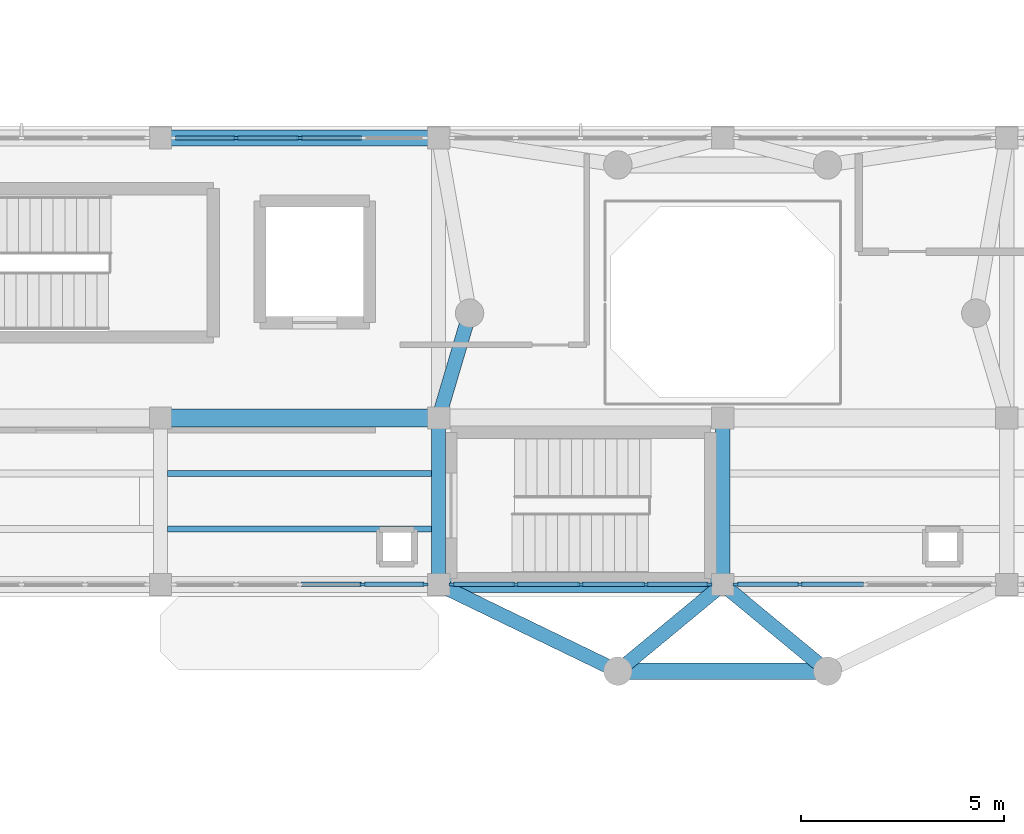
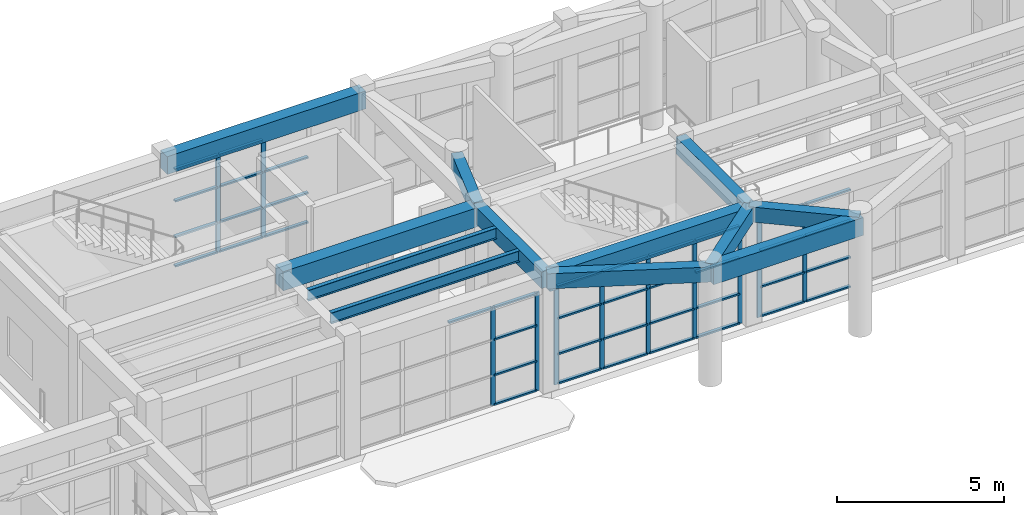
# One storey, part 17 of 85: 51 members, 12 beams, 4 elements without a shape of their own.
"""IFC4 building model written with IfcOpenShell, lengths in metres."""

from ifc_helpers import new_model, si_unit, direction, frame, origin, origin_2d, place, context, subcontext, project, spatial, rectangle, i_section, extrude, material, layer, layer_set, material_profile, profile_set, type_object, element, aggregate, save


model = new_model("IFC4")

# Units and contexts
model_context = context("Model", 3, precision=1e-05, world=origin(), true_north=direction((0.0, 1.0)))
body_context = subcontext(model_context, "Body", "Model", "MODEL_VIEW")
ifc_project = project(units=[si_unit("LENGTHUNIT", "METRE"), si_unit("AREAUNIT", "SQUARE_METRE"), si_unit("VOLUMEUNIT", "CUBIC_METRE"), si_unit("PLANEANGLEUNIT", "RADIAN"), si_unit("MASSUNIT", "GRAM", prefix="KILO")], contexts=[model_context])

# Site, building, storey
site_placement = place(None, origin())
site = spatial("IfcSite", under=ifc_project, at=site_placement, CompositionType="ELEMENT")
building_placement = place(site_placement, origin())
building = spatial("IfcBuilding", under=site, at=building_placement, Name="Candilejo Ridge Gondola Terminal", CompositionType="ELEMENT")
storey_placement = place(building_placement, frame((0.0, 0.0, 4.5)))
storey = spatial("IfcBuildingStorey", under=building, at=storey_placement, Name="L01", CompositionType="ELEMENT", Elevation=4.5)

# Curtain wall, members
ifc_material_1 = material(Name="Anodised aluminium AA 6063-T6", Category="aluminium")
ifc_layer_1 = layer(ifc_material_1, 0.169921875)
ifc_layer_set_1 = layer_set([ifc_layer_1], Name="ARC-CW-DRUM-3400-625X359")
curtain_wall_type_1 = type_object("IfcCurtainWallType", Name="ARC-CW-DRUM-3400-625X359", PredefinedType="NOTDEFINED", material=ifc_layer_set_1)
curtain_wall_1_placement = place(storey_placement, origin())
curtain_wall_1 = element("IfcCurtainWall", 1, at=curtain_wall_1_placement, inside=storey, type_object=curtain_wall_type_1, Name="Curtain wall V2 L01-036", PredefinedType="NOTDEFINED")
ifc_material_2 = material(Name="Anodised aluminium AA 6063-T6", Category="aluminium")
ifc_material_profile_1 = material_profile(ifc_material_2, rectangle(XDim=0.06494140625, YDim=0.14990234375, at=origin_2d()))
ifc_profile_set_1 = profile_set([ifc_material_profile_1], Name="Anodised aluminium AA 6063-T6")
member_type_1 = type_object("IfcMemberType", Name="ARC-CW-MULLION-150", PredefinedType="MULLION", material=ifc_profile_set_1)
member_1_placement = place(storey_placement, frame((53.362548828125, 36.699951171875, 0.0), z_axis=(0.0, 0.0, 1.0), x_axis=(0.0, 1.0, 0.0)))
member_1 = element("IfcMember", 2, at=member_1_placement, type_object=member_type_1, Name="CW-62X35 mullion 2", PredefinedType="MULLION", context=body_context, shape_type="SweptSolid", body=[
    extrude(rectangle(XDim=0.06494140625, YDim=0.14990234375, at=origin_2d()), origin(), (0.0, 0.0, 1.0), 3.590087890625),
])
member_2_placement = place(storey_placement, frame((54.925048828125, 36.699951171875, 0.0), z_axis=(0.0, 0.0, 1.0), x_axis=(0.0, 1.0, 0.0)))
member_2 = element("IfcMember", 3, at=member_2_placement, type_object=member_type_1, Name="CW-62X35 mullion 3", PredefinedType="MULLION", context=body_context, shape_type="SweptSolid", body=[
    extrude(rectangle(XDim=0.06494140625, YDim=0.14990234375, at=origin_2d()), origin(), (0.0, 0.0, 1.0), 3.590087890625),
])

curtain_wall_2_placement = place(storey_placement, origin())
curtain_wall_2 = element("IfcCurtainWall", 4, at=curtain_wall_2_placement, inside=storey, type_object=curtain_wall_type_1, Name="Curtain wall V2 L01-037", PredefinedType="NOTDEFINED")
member_3_placement = place(storey_placement, frame((56.487548828125, 25.699951171875, 0.0), z_axis=(0.0, 0.0, 1.0), x_axis=(0.0, 1.0, 0.0)))
member_3 = element("IfcMember", 5, at=member_3_placement, type_object=member_type_1, Name="CW-62X35 mullion 4", PredefinedType="MULLION", context=body_context, shape_type="SweptSolid", body=[
    extrude(rectangle(XDim=0.06494140625, YDim=0.14990234375, at=origin_2d()), origin(), (0.0, 0.0, 1.0), 3.590087890625),
])
member_4_placement = place(storey_placement, frame((58.017578125, 25.699951171875, 0.0), z_axis=(0.0, 0.0, 1.0), x_axis=(0.0, 1.0, 0.0)))
member_4 = element("IfcMember", 6, at=member_4_placement, type_object=member_type_1, Name="CW-62X35 mullion 5", PredefinedType="MULLION", context=body_context, shape_type="SweptSolid", body=[
    extrude(rectangle(XDim=0.06494140625, YDim=0.14990234375, at=origin_2d()), origin(), (0.0, 0.0, 1.0), 3.590087890625),
])

ifc_material_3 = material(Name="Anodised aluminium AA 6063-T6", Category="aluminium")
ifc_layer_2 = layer(ifc_material_3, 0.169921875)
ifc_layer_set_2 = layer_set([ifc_layer_2], Name="ARC-CW-DRUM-3400-640X359")
curtain_wall_type_2 = type_object("IfcCurtainWallType", Name="ARC-CW-DRUM-3400-640X359", PredefinedType="NOTDEFINED", material=ifc_layer_set_2)
curtain_wall_3_placement = place(storey_placement, origin())
curtain_wall_3 = element("IfcCurtainWall", 7, at=curtain_wall_3_placement, inside=storey, type_object=curtain_wall_type_2, Name="Curtain wall V2 L01-039", PredefinedType="NOTDEFINED")
member_5_placement = place(storey_placement, frame((58.6826171875, 25.699951171875, 0.0), z_axis=(0.0, 0.0, 1.0), x_axis=(0.0, 1.0, 0.0)))
member_5 = element("IfcMember", 8, at=member_5_placement, type_object=member_type_1, Name="CW-64X35 mullion 1", PredefinedType="MULLION", context=body_context, shape_type="SweptSolid", body=[
    extrude(rectangle(XDim=0.06494140625, YDim=0.14990234375, at=origin_2d()), origin(), (0.0, 0.0, 1.0), 3.590087890625),
])
member_6_placement = place(storey_placement, frame((60.25, 25.699951171875, 0.0), z_axis=(0.0, 0.0, 1.0), x_axis=(0.0, 1.0, 0.0)))
member_6 = element("IfcMember", 9, at=member_6_placement, type_object=member_type_1, Name="CW-64X35 mullion 2", PredefinedType="MULLION", context=body_context, shape_type="SweptSolid", body=[
    extrude(rectangle(XDim=0.06494140625, YDim=0.14990234375, at=origin_2d()), origin(), (0.0, 0.0, 1.0), 3.590087890625),
])
member_7_placement = place(storey_placement, frame((61.85009765625, 25.699951171875, 0.0), z_axis=(0.0, 0.0, 1.0), x_axis=(0.0, 1.0, 0.0)))
member_7 = element("IfcMember", 10, at=member_7_placement, type_object=member_type_1, Name="CW-64X35 mullion 3", PredefinedType="MULLION", context=body_context, shape_type="SweptSolid", body=[
    extrude(rectangle(XDim=0.06494140625, YDim=0.14990234375, at=origin_2d()), origin(), (0.0, 0.0, 1.0), 3.590087890625),
])
member_8_placement = place(storey_placement, frame((63.449951171875, 25.699951171875, 0.0), z_axis=(0.0, 0.0, 1.0), x_axis=(0.0, 1.0, 0.0)))
member_8 = element("IfcMember", 11, at=member_8_placement, type_object=member_type_1, Name="CW-64X35 mullion 4", PredefinedType="MULLION", context=body_context, shape_type="SweptSolid", body=[
    extrude(rectangle(XDim=0.06494140625, YDim=0.14990234375, at=origin_2d()), origin(), (0.0, 0.0, 1.0), 3.590087890625),
])
member_9_placement = place(storey_placement, frame((65.017578125, 25.699951171875, 0.0), z_axis=(0.0, 0.0, 1.0), x_axis=(0.0, 1.0, 0.0)))
member_9 = element("IfcMember", 12, at=member_9_placement, type_object=member_type_1, Name="CW-64X35 mullion 5", PredefinedType="MULLION", context=body_context, shape_type="SweptSolid", body=[
    extrude(rectangle(XDim=0.06494140625, YDim=0.14990234375, at=origin_2d()), origin(), (0.0, 0.0, 1.0), 3.590087890625),
])

curtain_wall_4_placement = place(storey_placement, origin())
curtain_wall_4 = element("IfcCurtainWall", 13, at=curtain_wall_4_placement, inside=storey, type_object=curtain_wall_type_2, Name="Curtain wall V2 L01-041", PredefinedType="NOTDEFINED")
member_10_placement = place(storey_placement, frame((65.6826171875, 25.699951171875, 0.0), z_axis=(0.0, 0.0, 1.0), x_axis=(0.0, 1.0, 0.0)))
member_10 = element("IfcMember", 14, at=member_10_placement, type_object=member_type_1, Name="CW-64X35 mullion 1", PredefinedType="MULLION", context=body_context, shape_type="SweptSolid", body=[
    extrude(rectangle(XDim=0.06494140625, YDim=0.14990234375, at=origin_2d()), origin(), (0.0, 0.0, 1.0), 3.590087890625),
])
member_11_placement = place(storey_placement, frame((67.25, 25.699951171875, 0.0), z_axis=(0.0, 0.0, 1.0), x_axis=(0.0, 1.0, 0.0)))
member_11 = element("IfcMember", 15, at=member_11_placement, type_object=member_type_1, Name="CW-64X35 mullion 2", PredefinedType="MULLION", context=body_context, shape_type="SweptSolid", body=[
    extrude(rectangle(XDim=0.06494140625, YDim=0.14990234375, at=origin_2d()), origin(), (0.0, 0.0, 1.0), 3.590087890625),
])

# Member
ifc_material_4 = material(Name="Anodised aluminium AA 6063-T6", Category="aluminium")
ifc_material_profile_2 = material_profile(ifc_material_4, rectangle(XDim=0.110107421875, YDim=0.06005859375, at=origin_2d()))
ifc_profile_set_2 = profile_set([ifc_material_profile_2], Name="Anodised aluminium AA 6063-T6")
member_type_2 = type_object("IfcMemberType", Name="ARC-CW-TRANSOM-110", PredefinedType="USERDEFINED", material=ifc_profile_set_2)
member_12_placement = place(storey_placement, frame((51.864990234375, 36.699951171875, 0.030029296875), z_axis=(1.0, 0.0, 0.0), x_axis=(0.0, 1.0, 0.0)))
member_12 = element("IfcMember", 16, at=member_12_placement, type_object=member_type_2, Name="CW-62X35 transom 1.1", ObjectType="TRANSOM", PredefinedType="USERDEFINED", context=body_context, shape_type="SweptSolid", body=[
    extrude(rectangle(XDim=0.110107421875, YDim=0.06005859375, at=origin_2d()), origin(), (0.0, 0.0, 1.0), 1.465087890625),
])

member_13_placement = place(storey_placement, frame((51.864990234375, 36.699951171875, 1.10009765625), z_axis=(1.0, 0.0, 0.0), x_axis=(0.0, 1.0, 0.0)))
member_13 = element("IfcMember", 17, at=member_13_placement, type_object=member_type_2, Name="CW-62X35 transom 1.2", ObjectType="TRANSOM", PredefinedType="USERDEFINED", context=body_context, shape_type="SweptSolid", body=[
    extrude(rectangle(XDim=0.110107421875, YDim=0.06005859375, at=origin_2d()), origin(), (0.0, 0.0, 1.0), 1.465087890625),
])

member_14_placement = place(storey_placement, frame((51.864990234375, 36.699951171875, 2.39990234375), z_axis=(1.0, 0.0, 0.0), x_axis=(0.0, 1.0, 0.0)))
member_14 = element("IfcMember", 18, at=member_14_placement, type_object=member_type_2, Name="CW-62X35 transom 1.3", ObjectType="TRANSOM", PredefinedType="USERDEFINED", context=body_context, shape_type="SweptSolid", body=[
    extrude(rectangle(XDim=0.110107421875, YDim=0.06005859375, at=origin_2d()), origin(), (0.0, 0.0, 1.0), 1.465087890625),
])

member_15_placement = place(storey_placement, frame((51.864990234375, 36.699951171875, 3.56005859375), z_axis=(1.0, 0.0, 0.0), x_axis=(0.0, 1.0, 0.0)))
member_15 = element("IfcMember", 19, at=member_15_placement, type_object=member_type_2, Name="CW-62X35 transom 1.4", ObjectType="TRANSOM", PredefinedType="USERDEFINED", context=body_context, shape_type="SweptSolid", body=[
    extrude(rectangle(XDim=0.110107421875, YDim=0.06005859375, at=origin_2d()), origin(), (0.0, 0.0, 1.0), 1.465087890625),
])

member_16_placement = place(storey_placement, frame((53.39501953125, 36.699951171875, 0.030029296875), z_axis=(1.0, 0.0, 0.0), x_axis=(0.0, 1.0, 0.0)))
member_16 = element("IfcMember", 20, at=member_16_placement, type_object=member_type_2, Name="CW-62X35 transom 2.1", ObjectType="TRANSOM", PredefinedType="USERDEFINED", context=body_context, shape_type="SweptSolid", body=[
    extrude(rectangle(XDim=0.110107421875, YDim=0.06005859375, at=origin_2d()), origin(), (0.0, 0.0, 1.0), 1.49755859375),
])

member_17_placement = place(storey_placement, frame((53.39501953125, 36.699951171875, 1.10009765625), z_axis=(1.0, 0.0, 0.0), x_axis=(0.0, 1.0, 0.0)))
member_17 = element("IfcMember", 21, at=member_17_placement, type_object=member_type_2, Name="CW-62X35 transom 2.2", ObjectType="TRANSOM", PredefinedType="USERDEFINED", context=body_context, shape_type="SweptSolid", body=[
    extrude(rectangle(XDim=0.110107421875, YDim=0.06005859375, at=origin_2d()), origin(), (0.0, 0.0, 1.0), 1.49755859375),
])

member_18_placement = place(storey_placement, frame((53.39501953125, 36.699951171875, 2.39990234375), z_axis=(1.0, 0.0, 0.0), x_axis=(0.0, 1.0, 0.0)))
member_18 = element("IfcMember", 22, at=member_18_placement, type_object=member_type_2, Name="CW-62X35 transom 2.3", ObjectType="TRANSOM", PredefinedType="USERDEFINED", context=body_context, shape_type="SweptSolid", body=[
    extrude(rectangle(XDim=0.110107421875, YDim=0.06005859375, at=origin_2d()), origin(), (0.0, 0.0, 1.0), 1.49755859375),
])

member_19_placement = place(storey_placement, frame((53.39501953125, 36.699951171875, 3.56005859375), z_axis=(1.0, 0.0, 0.0), x_axis=(0.0, 1.0, 0.0)))
member_19 = element("IfcMember", 23, at=member_19_placement, type_object=member_type_2, Name="CW-62X35 transom 2.4", ObjectType="TRANSOM", PredefinedType="USERDEFINED", context=body_context, shape_type="SweptSolid", body=[
    extrude(rectangle(XDim=0.110107421875, YDim=0.06005859375, at=origin_2d()), origin(), (0.0, 0.0, 1.0), 1.49755859375),
])

member_20_placement = place(storey_placement, frame((54.95751953125, 36.699951171875, 0.030029296875), z_axis=(1.0, 0.0, 0.0), x_axis=(0.0, 1.0, 0.0)))
member_20 = element("IfcMember", 24, at=member_20_placement, type_object=member_type_2, Name="CW-62X35 transom 3.1", ObjectType="TRANSOM", PredefinedType="USERDEFINED", context=body_context, shape_type="SweptSolid", body=[
    extrude(rectangle(XDim=0.110107421875, YDim=0.06005859375, at=origin_2d()), origin(), (0.0, 0.0, 1.0), 1.49755859375),
])

member_21_placement = place(storey_placement, frame((54.95751953125, 36.699951171875, 1.10009765625), z_axis=(1.0, 0.0, 0.0), x_axis=(0.0, 1.0, 0.0)))
member_21 = element("IfcMember", 25, at=member_21_placement, type_object=member_type_2, Name="CW-62X35 transom 3.2", ObjectType="TRANSOM", PredefinedType="USERDEFINED", context=body_context, shape_type="SweptSolid", body=[
    extrude(rectangle(XDim=0.110107421875, YDim=0.06005859375, at=origin_2d()), origin(), (0.0, 0.0, 1.0), 1.49755859375),
])

member_22_placement = place(storey_placement, frame((54.95751953125, 36.699951171875, 2.39990234375), z_axis=(1.0, 0.0, 0.0), x_axis=(0.0, 1.0, 0.0)))
member_22 = element("IfcMember", 26, at=member_22_placement, type_object=member_type_2, Name="CW-62X35 transom 3.3", ObjectType="TRANSOM", PredefinedType="USERDEFINED", context=body_context, shape_type="SweptSolid", body=[
    extrude(rectangle(XDim=0.110107421875, YDim=0.06005859375, at=origin_2d()), origin(), (0.0, 0.0, 1.0), 1.49755859375),
])

aggregate(curtain_wall_1, [member_1, member_2, member_12, member_13, member_14, member_15, member_16, member_17, member_18, member_19, member_20, member_21, member_22])

member_23_placement = place(storey_placement, frame((54.95751953125, 25.699951171875, 3.56005859375), z_axis=(1.0, 0.0, 0.0), x_axis=(0.0, 1.0, 0.0)))
member_23 = element("IfcMember", 27, at=member_23_placement, type_object=member_type_2, Name="CW-62X35 transom 3.4", ObjectType="TRANSOM", PredefinedType="USERDEFINED", context=body_context, shape_type="SweptSolid", body=[
    extrude(rectangle(XDim=0.110107421875, YDim=0.06005859375, at=origin_2d()), origin(), (0.0, 0.0, 1.0), 1.49755859375),
])

member_24_placement = place(storey_placement, frame((56.52001953125, 25.699951171875, 0.030029296875), z_axis=(1.0, 0.0, 0.0), x_axis=(0.0, 1.0, 0.0)))
member_24 = element("IfcMember", 28, at=member_24_placement, type_object=member_type_2, Name="CW-62X35 transom 4.1", ObjectType="TRANSOM", PredefinedType="USERDEFINED", context=body_context, shape_type="SweptSolid", body=[
    extrude(rectangle(XDim=0.110107421875, YDim=0.06005859375, at=origin_2d()), origin(), (0.0, 0.0, 1.0), 1.465087890625),
])

member_25_placement = place(storey_placement, frame((56.52001953125, 25.699951171875, 1.10009765625), z_axis=(1.0, 0.0, 0.0), x_axis=(0.0, 1.0, 0.0)))
member_25 = element("IfcMember", 29, at=member_25_placement, type_object=member_type_2, Name="CW-62X35 transom 4.2", ObjectType="TRANSOM", PredefinedType="USERDEFINED", context=body_context, shape_type="SweptSolid", body=[
    extrude(rectangle(XDim=0.110107421875, YDim=0.06005859375, at=origin_2d()), origin(), (0.0, 0.0, 1.0), 1.465087890625),
])

member_26_placement = place(storey_placement, frame((56.52001953125, 25.699951171875, 2.39990234375), z_axis=(1.0, 0.0, 0.0), x_axis=(0.0, 1.0, 0.0)))
member_26 = element("IfcMember", 30, at=member_26_placement, type_object=member_type_2, Name="CW-62X35 transom 4.3", ObjectType="TRANSOM", PredefinedType="USERDEFINED", context=body_context, shape_type="SweptSolid", body=[
    extrude(rectangle(XDim=0.110107421875, YDim=0.06005859375, at=origin_2d()), origin(), (0.0, 0.0, 1.0), 1.465087890625),
])

member_27_placement = place(storey_placement, frame((56.52001953125, 25.699951171875, 3.56005859375), z_axis=(1.0, 0.0, 0.0), x_axis=(0.0, 1.0, 0.0)))
member_27 = element("IfcMember", 31, at=member_27_placement, type_object=member_type_2, Name="CW-62X35 transom 4.4", ObjectType="TRANSOM", PredefinedType="USERDEFINED", context=body_context, shape_type="SweptSolid", body=[
    extrude(rectangle(XDim=0.110107421875, YDim=0.06005859375, at=origin_2d()), origin(), (0.0, 0.0, 1.0), 1.465087890625),
])

aggregate(curtain_wall_2, [member_3, member_4, member_23, member_24, member_25, member_26, member_27])

member_28_placement = place(storey_placement, frame((58.715087890625, 25.699951171875, 0.030029296875), z_axis=(1.0, 0.0, 0.0), x_axis=(0.0, 1.0, 0.0)))
member_28 = element("IfcMember", 32, at=member_28_placement, type_object=member_type_2, Name="CW-64X35 transom 1.1", ObjectType="TRANSOM", PredefinedType="USERDEFINED", context=body_context, shape_type="SweptSolid", body=[
    extrude(rectangle(XDim=0.110107421875, YDim=0.06005859375, at=origin_2d()), origin(), (0.0, 0.0, 1.0), 1.50244140625),
])

member_29_placement = place(storey_placement, frame((58.715087890625, 25.699951171875, 1.10009765625), z_axis=(1.0, 0.0, 0.0), x_axis=(0.0, 1.0, 0.0)))
member_29 = element("IfcMember", 33, at=member_29_placement, type_object=member_type_2, Name="CW-64X35 transom 1.2", ObjectType="TRANSOM", PredefinedType="USERDEFINED", context=body_context, shape_type="SweptSolid", body=[
    extrude(rectangle(XDim=0.110107421875, YDim=0.06005859375, at=origin_2d()), origin(), (0.0, 0.0, 1.0), 1.50244140625),
])

member_30_placement = place(storey_placement, frame((58.715087890625, 25.699951171875, 2.39990234375), z_axis=(1.0, 0.0, 0.0), x_axis=(0.0, 1.0, 0.0)))
member_30 = element("IfcMember", 34, at=member_30_placement, type_object=member_type_2, Name="CW-64X35 transom 1.3", ObjectType="TRANSOM", PredefinedType="USERDEFINED", context=body_context, shape_type="SweptSolid", body=[
    extrude(rectangle(XDim=0.110107421875, YDim=0.06005859375, at=origin_2d()), origin(), (0.0, 0.0, 1.0), 1.50244140625),
])

member_31_placement = place(storey_placement, frame((58.715087890625, 25.699951171875, 3.56005859375), z_axis=(1.0, 0.0, 0.0), x_axis=(0.0, 1.0, 0.0)))
member_31 = element("IfcMember", 35, at=member_31_placement, type_object=member_type_2, Name="CW-64X35 transom 1.4", ObjectType="TRANSOM", PredefinedType="USERDEFINED", context=body_context, shape_type="SweptSolid", body=[
    extrude(rectangle(XDim=0.110107421875, YDim=0.06005859375, at=origin_2d()), origin(), (0.0, 0.0, 1.0), 1.50244140625),
])

member_32_placement = place(storey_placement, frame((60.282470703125, 25.699951171875, 0.030029296875), z_axis=(1.0, 0.0, 0.0), x_axis=(0.0, 1.0, 0.0)))
member_32 = element("IfcMember", 36, at=member_32_placement, type_object=member_type_2, Name="CW-64X35 transom 2.1", ObjectType="TRANSOM", PredefinedType="USERDEFINED", context=body_context, shape_type="SweptSolid", body=[
    extrude(rectangle(XDim=0.110107421875, YDim=0.06005859375, at=origin_2d()), origin(), (0.0, 0.0, 1.0), 1.534912109375),
])

member_33_placement = place(storey_placement, frame((60.282470703125, 25.699951171875, 1.10009765625), z_axis=(1.0, 0.0, 0.0), x_axis=(0.0, 1.0, 0.0)))
member_33 = element("IfcMember", 37, at=member_33_placement, type_object=member_type_2, Name="CW-64X35 transom 2.2", ObjectType="TRANSOM", PredefinedType="USERDEFINED", context=body_context, shape_type="SweptSolid", body=[
    extrude(rectangle(XDim=0.110107421875, YDim=0.06005859375, at=origin_2d()), origin(), (0.0, 0.0, 1.0), 1.534912109375),
])

member_34_placement = place(storey_placement, frame((60.282470703125, 25.699951171875, 2.39990234375), z_axis=(1.0, 0.0, 0.0), x_axis=(0.0, 1.0, 0.0)))
member_34 = element("IfcMember", 38, at=member_34_placement, type_object=member_type_2, Name="CW-64X35 transom 2.3", ObjectType="TRANSOM", PredefinedType="USERDEFINED", context=body_context, shape_type="SweptSolid", body=[
    extrude(rectangle(XDim=0.110107421875, YDim=0.06005859375, at=origin_2d()), origin(), (0.0, 0.0, 1.0), 1.534912109375),
])

member_35_placement = place(storey_placement, frame((60.282470703125, 25.699951171875, 3.56005859375), z_axis=(1.0, 0.0, 0.0), x_axis=(0.0, 1.0, 0.0)))
member_35 = element("IfcMember", 39, at=member_35_placement, type_object=member_type_2, Name="CW-64X35 transom 2.4", ObjectType="TRANSOM", PredefinedType="USERDEFINED", context=body_context, shape_type="SweptSolid", body=[
    extrude(rectangle(XDim=0.110107421875, YDim=0.06005859375, at=origin_2d()), origin(), (0.0, 0.0, 1.0), 1.534912109375),
])

member_36_placement = place(storey_placement, frame((61.882568359375, 25.699951171875, 0.030029296875), z_axis=(1.0, 0.0, 0.0), x_axis=(0.0, 1.0, 0.0)))
member_36 = element("IfcMember", 40, at=member_36_placement, type_object=member_type_2, Name="CW-64X35 transom 3.1", ObjectType="TRANSOM", PredefinedType="USERDEFINED", context=body_context, shape_type="SweptSolid", body=[
    extrude(rectangle(XDim=0.110107421875, YDim=0.06005859375, at=origin_2d()), origin(), (0.0, 0.0, 1.0), 1.534912109375),
])

member_37_placement = place(storey_placement, frame((61.882568359375, 25.699951171875, 1.10009765625), z_axis=(1.0, 0.0, 0.0), x_axis=(0.0, 1.0, 0.0)))
member_37 = element("IfcMember", 41, at=member_37_placement, type_object=member_type_2, Name="CW-64X35 transom 3.2", ObjectType="TRANSOM", PredefinedType="USERDEFINED", context=body_context, shape_type="SweptSolid", body=[
    extrude(rectangle(XDim=0.110107421875, YDim=0.06005859375, at=origin_2d()), origin(), (0.0, 0.0, 1.0), 1.534912109375),
])

member_38_placement = place(storey_placement, frame((61.882568359375, 25.699951171875, 2.39990234375), z_axis=(1.0, 0.0, 0.0), x_axis=(0.0, 1.0, 0.0)))
member_38 = element("IfcMember", 42, at=member_38_placement, type_object=member_type_2, Name="CW-64X35 transom 3.3", ObjectType="TRANSOM", PredefinedType="USERDEFINED", context=body_context, shape_type="SweptSolid", body=[
    extrude(rectangle(XDim=0.110107421875, YDim=0.06005859375, at=origin_2d()), origin(), (0.0, 0.0, 1.0), 1.534912109375),
])

member_39_placement = place(storey_placement, frame((61.882568359375, 25.699951171875, 3.56005859375), z_axis=(1.0, 0.0, 0.0), x_axis=(0.0, 1.0, 0.0)))
member_39 = element("IfcMember", 43, at=member_39_placement, type_object=member_type_2, Name="CW-64X35 transom 3.4", ObjectType="TRANSOM", PredefinedType="USERDEFINED", context=body_context, shape_type="SweptSolid", body=[
    extrude(rectangle(XDim=0.110107421875, YDim=0.06005859375, at=origin_2d()), origin(), (0.0, 0.0, 1.0), 1.534912109375),
])

member_40_placement = place(storey_placement, frame((63.482421875, 25.699951171875, 0.030029296875), z_axis=(1.0, 0.0, 0.0), x_axis=(0.0, 1.0, 0.0)))
member_40 = element("IfcMember", 44, at=member_40_placement, type_object=member_type_2, Name="CW-64X35 transom 4.1", ObjectType="TRANSOM", PredefinedType="USERDEFINED", context=body_context, shape_type="SweptSolid", body=[
    extrude(rectangle(XDim=0.110107421875, YDim=0.06005859375, at=origin_2d()), origin(), (0.0, 0.0, 1.0), 1.502685546875),
])

member_41_placement = place(storey_placement, frame((63.482421875, 25.699951171875, 1.10009765625), z_axis=(1.0, 0.0, 0.0), x_axis=(0.0, 1.0, 0.0)))
member_41 = element("IfcMember", 45, at=member_41_placement, type_object=member_type_2, Name="CW-64X35 transom 4.2", ObjectType="TRANSOM", PredefinedType="USERDEFINED", context=body_context, shape_type="SweptSolid", body=[
    extrude(rectangle(XDim=0.110107421875, YDim=0.06005859375, at=origin_2d()), origin(), (0.0, 0.0, 1.0), 1.502685546875),
])

member_42_placement = place(storey_placement, frame((63.482421875, 25.699951171875, 2.39990234375), z_axis=(1.0, 0.0, 0.0), x_axis=(0.0, 1.0, 0.0)))
member_42 = element("IfcMember", 46, at=member_42_placement, type_object=member_type_2, Name="CW-64X35 transom 4.3", ObjectType="TRANSOM", PredefinedType="USERDEFINED", context=body_context, shape_type="SweptSolid", body=[
    extrude(rectangle(XDim=0.110107421875, YDim=0.06005859375, at=origin_2d()), origin(), (0.0, 0.0, 1.0), 1.502685546875),
])

member_43_placement = place(storey_placement, frame((63.482421875, 25.699951171875, 3.56005859375), z_axis=(1.0, 0.0, 0.0), x_axis=(0.0, 1.0, 0.0)))
member_43 = element("IfcMember", 47, at=member_43_placement, type_object=member_type_2, Name="CW-64X35 transom 4.4", ObjectType="TRANSOM", PredefinedType="USERDEFINED", context=body_context, shape_type="SweptSolid", body=[
    extrude(rectangle(XDim=0.110107421875, YDim=0.06005859375, at=origin_2d()), origin(), (0.0, 0.0, 1.0), 1.502685546875),
])

aggregate(curtain_wall_3, [member_5, member_6, member_7, member_8, member_9, member_28, member_29, member_30, member_31, member_32, member_33, member_34, member_35, member_36, member_37, member_38, member_39, member_40, member_41, member_42, member_43])

member_44_placement = place(storey_placement, frame((65.715087890625, 25.699951171875, 0.030029296875), z_axis=(1.0, 0.0, 0.0), x_axis=(0.0, 1.0, 0.0)))
member_44 = element("IfcMember", 48, at=member_44_placement, type_object=member_type_2, Name="CW-64X35 transom 1.1", ObjectType="TRANSOM", PredefinedType="USERDEFINED", context=body_context, shape_type="SweptSolid", body=[
    extrude(rectangle(XDim=0.110107421875, YDim=0.06005859375, at=origin_2d()), origin(), (0.0, 0.0, 1.0), 1.50244140625),
])

member_45_placement = place(storey_placement, frame((65.715087890625, 25.699951171875, 1.10009765625), z_axis=(1.0, 0.0, 0.0), x_axis=(0.0, 1.0, 0.0)))
member_45 = element("IfcMember", 49, at=member_45_placement, type_object=member_type_2, Name="CW-64X35 transom 1.2", ObjectType="TRANSOM", PredefinedType="USERDEFINED", context=body_context, shape_type="SweptSolid", body=[
    extrude(rectangle(XDim=0.110107421875, YDim=0.06005859375, at=origin_2d()), origin(), (0.0, 0.0, 1.0), 1.50244140625),
])

member_46_placement = place(storey_placement, frame((65.715087890625, 25.699951171875, 2.39990234375), z_axis=(1.0, 0.0, 0.0), x_axis=(0.0, 1.0, 0.0)))
member_46 = element("IfcMember", 50, at=member_46_placement, type_object=member_type_2, Name="CW-64X35 transom 1.3", ObjectType="TRANSOM", PredefinedType="USERDEFINED", context=body_context, shape_type="SweptSolid", body=[
    extrude(rectangle(XDim=0.110107421875, YDim=0.06005859375, at=origin_2d()), origin(), (0.0, 0.0, 1.0), 1.50244140625),
])

member_47_placement = place(storey_placement, frame((65.715087890625, 25.699951171875, 3.56005859375), z_axis=(1.0, 0.0, 0.0), x_axis=(0.0, 1.0, 0.0)))
member_47 = element("IfcMember", 51, at=member_47_placement, type_object=member_type_2, Name="CW-64X35 transom 1.4", ObjectType="TRANSOM", PredefinedType="USERDEFINED", context=body_context, shape_type="SweptSolid", body=[
    extrude(rectangle(XDim=0.110107421875, YDim=0.06005859375, at=origin_2d()), origin(), (0.0, 0.0, 1.0), 1.50244140625),
])

member_48_placement = place(storey_placement, frame((67.282470703125, 25.699951171875, 0.030029296875), z_axis=(1.0, 0.0, 0.0), x_axis=(0.0, 1.0, 0.0)))
member_48 = element("IfcMember", 52, at=member_48_placement, type_object=member_type_2, Name="CW-64X35 transom 2.1", ObjectType="TRANSOM", PredefinedType="USERDEFINED", context=body_context, shape_type="SweptSolid", body=[
    extrude(rectangle(XDim=0.110107421875, YDim=0.06005859375, at=origin_2d()), origin(), (0.0, 0.0, 1.0), 1.534912109375),
])

member_49_placement = place(storey_placement, frame((67.282470703125, 25.699951171875, 1.10009765625), z_axis=(1.0, 0.0, 0.0), x_axis=(0.0, 1.0, 0.0)))
member_49 = element("IfcMember", 53, at=member_49_placement, type_object=member_type_2, Name="CW-64X35 transom 2.2", ObjectType="TRANSOM", PredefinedType="USERDEFINED", context=body_context, shape_type="SweptSolid", body=[
    extrude(rectangle(XDim=0.110107421875, YDim=0.06005859375, at=origin_2d()), origin(), (0.0, 0.0, 1.0), 1.534912109375),
])

member_50_placement = place(storey_placement, frame((67.282470703125, 25.699951171875, 2.39990234375), z_axis=(1.0, 0.0, 0.0), x_axis=(0.0, 1.0, 0.0)))
member_50 = element("IfcMember", 54, at=member_50_placement, type_object=member_type_2, Name="CW-64X35 transom 2.3", ObjectType="TRANSOM", PredefinedType="USERDEFINED", context=body_context, shape_type="SweptSolid", body=[
    extrude(rectangle(XDim=0.110107421875, YDim=0.06005859375, at=origin_2d()), origin(), (0.0, 0.0, 1.0), 1.534912109375),
])

member_51_placement = place(storey_placement, frame((67.282470703125, 25.699951171875, 3.56005859375), z_axis=(1.0, 0.0, 0.0), x_axis=(0.0, 1.0, 0.0)))
member_51 = element("IfcMember", 55, at=member_51_placement, type_object=member_type_2, Name="CW-64X35 transom 2.4", ObjectType="TRANSOM", PredefinedType="USERDEFINED", context=body_context, shape_type="SweptSolid", body=[
    extrude(rectangle(XDim=0.110107421875, YDim=0.06005859375, at=origin_2d()), origin(), (0.0, 0.0, 1.0), 1.534912109375),
])

aggregate(curtain_wall_4, [member_10, member_11, member_44, member_45, member_46, member_47, member_48, member_49, member_50, member_51])

# Beams
ifc_material_5 = material(Name="Concrete f'c 35 MPa (C35/45)", Category="concrete")
ifc_material_profile_3 = material_profile(ifc_material_5, rectangle(XDim=0.35009765625, YDim=0.550048828125, at=origin_2d()))
ifc_profile_set_3 = profile_set([ifc_material_profile_3], Name="Concrete f'c 35 MPa (C35/45)")
beam_type_1 = type_object("IfcBeamType", Name="STR-BM-RC350X550", PredefinedType="BEAM", material=ifc_profile_set_3)
beam_1_placement = place(storey_placement, frame((59.11376953125, 32.383056640625, 3.97509765625), z_axis=(-0.283520439807, -0.958966193466, 0.0), x_axis=(0.958966193466, -0.283520439807, 0.0)))
element("IfcBeam", 56, at=beam_1_placement, inside=storey, type_object=beam_type_1, Name="Rotunda radial tie beam L01 ROT4", PredefinedType="BEAM", context=body_context, shape_type="SweptSolid", body=[
    extrude(rectangle(XDim=0.35009765625, YDim=0.550048828125, at=origin_2d()), origin(), (0.0, 0.0, 1.0), 2.693603515625),
])
beam_2_placement = place(storey_placement, frame((62.766845703125, 23.563720703125, 3.97509765625), z_axis=(0.770633578777, 0.637278500548, 0.0), x_axis=(-0.637278500548, 0.770633578777, 0.0)))
element("IfcBeam", 57, at=beam_2_placement, inside=storey, type_object=beam_type_1, Name="Rotunda radial tie beam L01 ROT6", PredefinedType="BEAM", context=body_context, shape_type="SweptSolid", body=[
    extrude(rectangle(XDim=0.35009765625, YDim=0.550048828125, at=origin_2d()), origin(), (0.0, 0.0, 1.0), 3.35205078125),
])
beam_3_placement = place(storey_placement, frame((62.766845703125, 23.563720703125, 3.97509765625), z_axis=(-0.900231615241, 0.435411344501, 0.0), x_axis=(-0.435411344501, -0.900231615241, 0.0)))
element("IfcBeam", 58, at=beam_3_placement, inside=storey, type_object=beam_type_1, Name="Rotunda radial tie beam L01 ROT6", PredefinedType="BEAM", context=body_context, shape_type="SweptSolid", body=[
    extrude(rectangle(XDim=0.35009765625, YDim=0.550048828125, at=origin_2d()), origin(), (0.0, 0.0, 1.0), 4.90625),
])
beam_4_placement = place(storey_placement, frame((67.93310546875, 23.563720703125, 3.97509765625), z_axis=(-0.770603997541, 0.637314270178, 0.0), x_axis=(-0.637314270178, -0.770603997541, 0.0)))
element("IfcBeam", 59, at=beam_4_placement, inside=storey, type_object=beam_type_1, Name="Rotunda radial tie beam L01 ROT7", PredefinedType="BEAM", context=body_context, shape_type="SweptSolid", body=[
    extrude(rectangle(XDim=0.35009765625, YDim=0.550048828125, at=origin_2d()), origin(), (0.0, 0.0, 1.0), 3.351806640625),
])
ifc_material_6 = material(Name="Concrete f'c 35 MPa (C35/45)", Category="concrete")
ifc_material_profile_4 = material_profile(ifc_material_6, rectangle(XDim=0.35009765625, YDim=0.60009765625, at=origin_2d()))
ifc_profile_set_4 = profile_set([ifc_material_profile_4], Name="Concrete f'c 35 MPa (C35/45)")
beam_type_2 = type_object("IfcBeamType", Name="STR-BM-RC350X600", PredefinedType="BEAM", material=ifc_profile_set_4)
for number, where, z_axis, x_axis, name in (
    (60, (58.35009765625, 25.699951171875, 3.949951171875), (0.0, 1.0, 0.0), (-1.0, 0.0, 0.0), "Beam Y V2 L01 Y05-Y06@X09"),
    (61, (65.35009765625, 25.699951171875, 3.949951171875), (0.0, 1.0, 0.0), (-1.0, 0.0, 0.0), "Beam Y V2 L01 Y05-Y06@X10"),
):
    element("IfcBeam", number, at=place(storey_placement, frame(where, z_axis=z_axis, x_axis=x_axis)), inside=storey, type_object=beam_type_2, Name=name, PredefinedType="BEAM", context=body_context, shape_type="SweptSolid", body=[
        extrude(rectangle(XDim=0.35009765625, YDim=0.60009765625, at=origin_2d()), origin(), (0.0, 0.0, 1.0), 4.10009765625),
    ])
ifc_material_7 = material(Name="Concrete f'c 35 MPa (C35/45)", Category="concrete")
ifc_material_profile_5 = material_profile(ifc_material_7, rectangle(XDim=0.449951171875, YDim=0.699951171875, at=origin_2d()))
ifc_profile_set_5 = profile_set([ifc_material_profile_5], Name="Concrete f'c 35 MPa (C35/45)")
beam_type_3 = type_object("IfcBeamType", Name="STR-BM-RC450X700", PredefinedType="BEAM", material=ifc_profile_set_5)
beam_5_placement = place(storey_placement, frame((51.5, 29.800048828125, 3.89990234375), z_axis=(1.0, 0.0, 0.0), x_axis=(0.0, 1.0, 0.0)))
element("IfcBeam", 62, at=beam_5_placement, inside=storey, type_object=beam_type_3, Name="Beam X V2 L01 X08-X09@Y06", PredefinedType="BEAM", context=body_context, shape_type="SweptSolid", body=[
    extrude(rectangle(XDim=0.449951171875, YDim=0.699951171875, at=origin_2d()), origin(), (0.0, 0.0, 1.0), 6.85009765625),
])
ifc_material_8 = material(Name="Steel ASTM A992 Grade 50", Category="steel")
ifc_material_profile_6 = material_profile(ifc_material_8, i_section(OverallWidth=0.139892578125, OverallDepth=0.403076171875, WebThickness=0.007080078125, FlangeThickness=0.01123046875, at=origin_2d()))
ifc_profile_set_6 = profile_set([ifc_material_profile_6], Name="Steel ASTM A992 Grade 50")
beam_type_4 = type_object("IfcBeamType", Name="STR-JST-W410X46", PredefinedType="JOIST", material=ifc_profile_set_6)
for number, where, z_axis, x_axis, name in (
    (63, (51.675048828125, 27.066650390625, 4.048583984375), (1.0, 0.0, 0.0), (0.0, 1.0, 0.0), "Composite joist V2 L01-0255"),
    (64, (51.675048828125, 28.433349609375, 4.048583984375), (1.0, 0.0, 0.0), (0.0, 1.0, 0.0), "Composite joist V2 L01-0256"),
):
    element("IfcBeam", number, at=place(storey_placement, frame(where, z_axis=z_axis, x_axis=x_axis)), inside=storey, type_object=beam_type_4, Name=name, PredefinedType="JOIST", context=body_context, shape_type="SweptSolid", body=[
        extrude(i_section(OverallWidth=0.139892578125, OverallDepth=0.403076171875, WebThickness=0.007080078125, FlangeThickness=0.01123046875, at=origin_2d()), origin(), (0.0, 0.0, 1.0), 6.5),
    ])
ifc_material_9 = material(Name="Concrete f'c 35 MPa (C35/45)", Category="concrete")
ifc_material_profile_7 = material_profile(ifc_material_9, rectangle(XDim=0.39990234375, YDim=0.64990234375, at=origin_2d()))
ifc_profile_set_7 = profile_set([ifc_material_profile_7], Name="Concrete f'c 35 MPa (C35/45)")
beam_type_5 = type_object("IfcBeamType", Name="STR-SPN-RC400X650", PredefinedType="SPANDREL", material=ifc_profile_set_7)
beam_6_placement = place(storey_placement, frame((58.35009765625, 25.699951171875, 3.925048828125), z_axis=(1.0, 0.0, 0.0), x_axis=(0.0, 1.0, 0.0)))
element("IfcBeam", 65, at=beam_6_placement, inside=storey, type_object=beam_type_5, Name="Beam X V2 L01 X09-X10@Y05", PredefinedType="SPANDREL", context=body_context, shape_type="SweptSolid", body=[
    extrude(rectangle(XDim=0.39990234375, YDim=0.64990234375, at=origin_2d()), origin(), (0.0, 0.0, 1.0), 7.0),
])
beam_7_placement = place(storey_placement, frame((51.5, 36.699951171875, 3.925048828125), z_axis=(1.0, 0.0, 0.0), x_axis=(0.0, 1.0, 0.0)))
element("IfcBeam", 66, at=beam_7_placement, inside=storey, type_object=beam_type_5, Name="Beam X V2 L01 X08-X09@Y07", PredefinedType="SPANDREL", context=body_context, shape_type="SweptSolid", body=[
    extrude(rectangle(XDim=0.39990234375, YDim=0.64990234375, at=origin_2d()), origin(), (0.0, 0.0, 1.0), 6.85009765625),
])
beam_8_placement = place(storey_placement, frame((62.766845703125, 23.563720703125, 3.925048828125), z_axis=(1.0, 0.0, 0.0), x_axis=(0.0, 1.0, 0.0)))
element("IfcBeam", 67, at=beam_8_placement, inside=storey, type_object=beam_type_5, Name="Rotunda ring beam L01 ROT6-ROT7", PredefinedType="SPANDREL", context=body_context, shape_type="SweptSolid", body=[
    extrude(rectangle(XDim=0.39990234375, YDim=0.64990234375, at=origin_2d()), origin(), (0.0, 0.0, 1.0), 5.166259765625),
])

save(model, "model.ifc")
